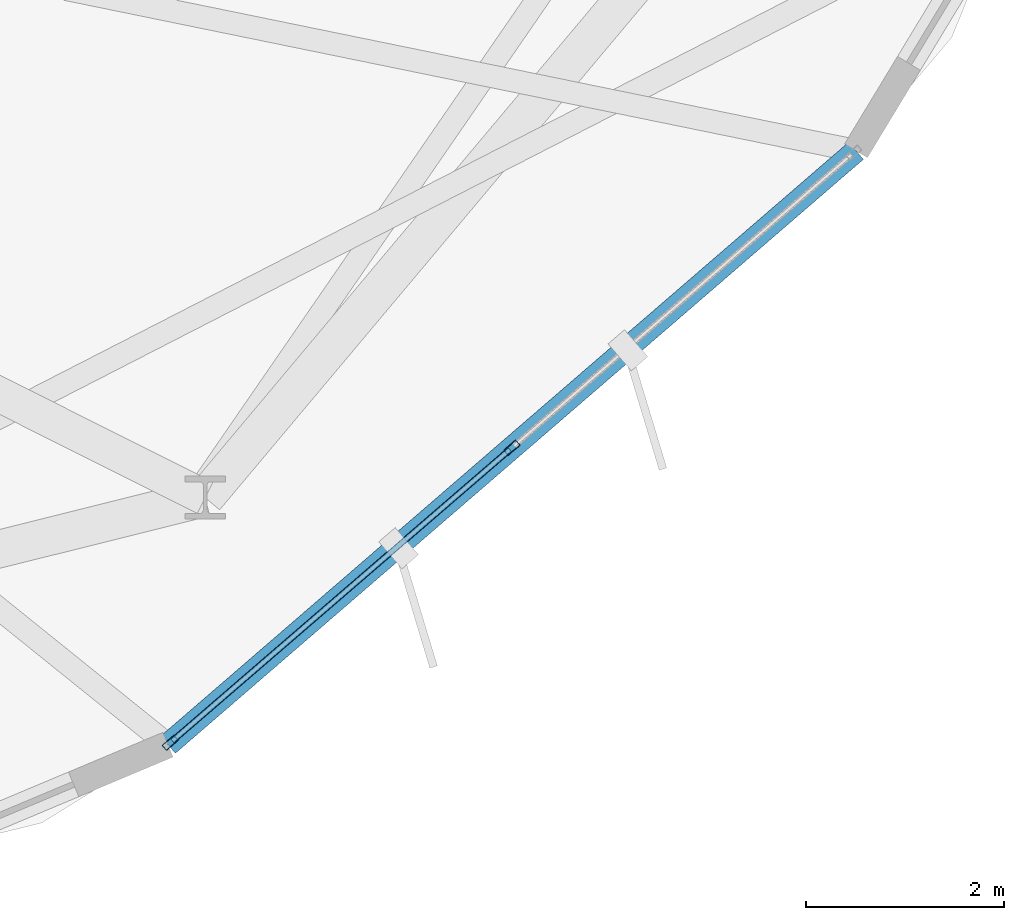
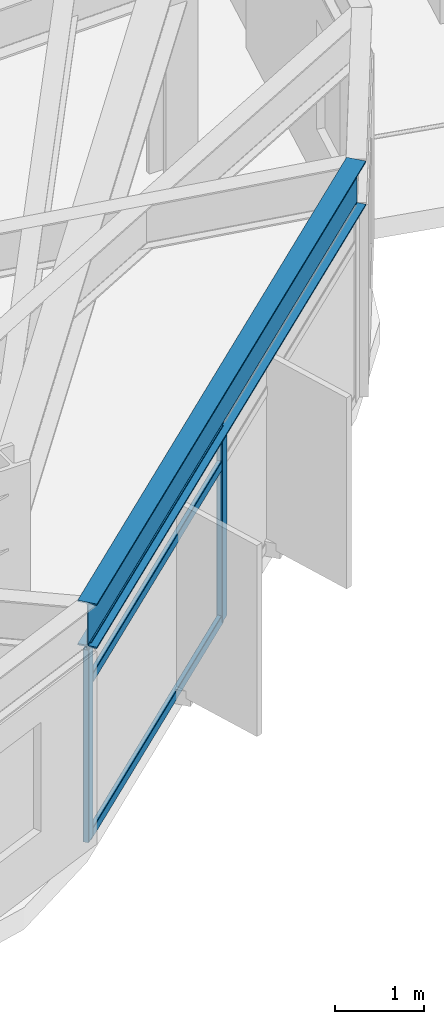
# One storey, part 5 of 27: 5 members, 1 beam, 1 element without a shape of its own.
"""IFC4 building model written with IfcOpenShell, lengths in metres."""

from ifc_helpers import new_model, si_unit, direction, frame, origin, origin_2d, place, context, subcontext, project, spatial, hollow_rectangle, i_section, extrude, material, layer, layer_set, material_profile, profile_set, type_object, element, aggregate, save


model = new_model("IFC4")

# Units and contexts
model_context = context("Model", 3, precision=1e-05, world=origin(), true_north=direction((0.0, 1.0)))
body_context = subcontext(model_context, "Body", "Model", "MODEL_VIEW")
ifc_project = project(units=[si_unit("LENGTHUNIT", "METRE"), si_unit("AREAUNIT", "SQUARE_METRE"), si_unit("VOLUMEUNIT", "CUBIC_METRE"), si_unit("PLANEANGLEUNIT", "RADIAN"), si_unit("MASSUNIT", "GRAM", prefix="KILO")], contexts=[model_context])

# Site, building, storey
site_placement = place(None, origin())
site = spatial("IfcSite", under=ifc_project, at=site_placement, CompositionType="ELEMENT")
building_placement = place(site_placement, origin())
building = spatial("IfcBuilding", under=site, at=building_placement, Name="Soratama Intermodal Tower", CompositionType="ELEMENT")
storey_placement = place(building_placement, frame((0.0, 0.0, 182.199951171875)))
storey = spatial("IfcBuildingStorey", under=building, at=storey_placement, Name="L45", CompositionType="ELEMENT", Elevation=182.199951171875)

# Beam
ifc_material_1 = material(Name="Structural steel ASTM A992 Grade 50", Category="steel")
ifc_material_profile_1 = material_profile(ifc_material_1, i_section(OverallWidth=0.22900390625, OverallDepth=0.612060546875, WebThickness=0.011962890625, FlangeThickness=0.01953125, FilletRadius=0.012939453125, at=origin_2d()), Name="W24X84")
ifc_profile_set_1 = profile_set([ifc_material_profile_1], Name="Structural steel ASTM A992 Grade 50")
beam_type = type_object("IfcBeamType", Name="BM-SPN-W24X84", PredefinedType="SPANDREL", material=ifc_profile_set_1)
beam_placement = place(storey_placement, frame((53.89794921875, 7.660888671875, 2.9541015625), z_axis=(0.756958016924, 0.653463511311, 0.0), x_axis=(-0.653463511311, 0.756958016924, 0.0)))
element("IfcBeam", 1, at=beam_placement, inside=storey, type_object=beam_type, Name="BS-L45-F08", PredefinedType="SPANDREL", context=body_context, shape_type="SweptSolid", body=[
    extrude(i_section(OverallWidth=0.22900390625, OverallDepth=0.612060546875, WebThickness=0.011962890625, FlangeThickness=0.01953125, FilletRadius=0.012939453125, at=origin_2d()), origin(), (0.0, 0.0, 1.0), 9.188232421875),
])

# Curtain wall, members
ifc_material_2 = material(Name="Double-glazed aluminium curtain wall", Category="aluminium")
ifc_layer = layer(ifc_material_2, 0.159912109375)
ifc_layer_set = layer_set([ifc_layer], Name="Double-glazed aluminium curtain wall")
curtain_wall_type = type_object("IfcCurtainWallType", Name="CW-SYS-4", PredefinedType="NOTDEFINED", material=ifc_layer_set)
curtain_wall_placement = place(storey_placement, origin())
curtain_wall = element("IfcCurtainWall", 2, at=curtain_wall_placement, inside=storey, type_object=curtain_wall_type, Name="L45 Faceted Curtain Wall F08", PredefinedType="NOTDEFINED")
ifc_material_3 = material(Name="Anodised aluminium AA 6063-T6", Category="aluminium")
ifc_material_profile_2 = material_profile(ifc_material_3, hollow_rectangle(XDim=0.070068359375, YDim=0.159912109375, WallThickness=0.0048828125, InnerFilletRadius=0.0048828125, OuterFilletRadius=0.010009765625, at=origin_2d()), Name="CWM160X70X5")
ifc_profile_set_2 = profile_set([ifc_material_profile_2], Name="Anodised aluminium AA 6063-T6")
member_type_1 = type_object("IfcMemberType", Name="MT-CWM-4", PredefinedType="MULLION", material=ifc_profile_set_2)
member_1_placement = place(storey_placement, frame((53.920166015625, 7.680908203125, 0.0), z_axis=(0.0, 0.0, 1.0), x_axis=(-0.653423478427, 0.756992574495, 0.0)))
member_1 = element("IfcMember", 3, at=member_1_placement, type_object=member_type_1, Name="CW-4 mullion 1", PredefinedType="MULLION", context=body_context, shape_type="SweptSolid", body=[
    extrude(hollow_rectangle(XDim=0.070068359375, YDim=0.159912109375, WallThickness=0.0048828125, InnerFilletRadius=0.0048828125, OuterFilletRadius=0.010009765625, at=origin_2d()), origin(), (0.0, 0.0, 1.0), 2.63916015625),
])
member_2_placement = place(storey_placement, frame((57.375244140625, 10.663330078125, 0.0), z_axis=(0.0, 0.0, 1.0), x_axis=(-0.653423478427, 0.756992574495, 0.0)))
member_2 = element("IfcMember", 4, at=member_2_placement, type_object=member_type_1, Name="CW-4 mullion 2", PredefinedType="MULLION", context=body_context, shape_type="SweptSolid", body=[
    extrude(hollow_rectangle(XDim=0.070068359375, YDim=0.159912109375, WallThickness=0.0048828125, InnerFilletRadius=0.0048828125, OuterFilletRadius=0.010009765625, at=origin_2d()), origin(), (0.0, 0.0, 1.0), 2.63916015625),
])
ifc_material_4 = material(Name="Anodised aluminium AA 6063-T6", Category="aluminium")
ifc_material_profile_3 = material_profile(ifc_material_4, hollow_rectangle(XDim=0.06005859375, YDim=0.1298828125, WallThickness=0.0048828125, InnerFilletRadius=0.0048828125, OuterFilletRadius=0.010009765625, at=origin_2d()), Name="CWT130X60X5")
ifc_profile_set_3 = profile_set([ifc_material_profile_3], Name="Anodised aluminium AA 6063-T6")
member_type_2 = type_object("IfcMemberType", Name="TT-CWT-2", PredefinedType="USERDEFINED", material=ifc_profile_set_3)
member_3_placement = place(storey_placement, frame((53.94287109375, 7.70068359375, 0.030029296875), z_axis=(0.757025293615, 0.653385571333, 0.0), x_axis=(-0.653385571333, 0.757025293615, 0.0)))
member_3 = element("IfcMember", 5, at=member_3_placement, type_object=member_type_2, Name="CW-4 transom 1.1", ObjectType="TRANSOM", PredefinedType="USERDEFINED", context=body_context, shape_type="SweptSolid", body=[
    extrude(hollow_rectangle(XDim=0.06005859375, YDim=0.1298828125, WallThickness=0.0048828125, InnerFilletRadius=0.0048828125, OuterFilletRadius=0.010009765625, at=origin_2d()), origin(), (0.0, 0.0, 1.0), 4.504150390625),
])
member_4_placement = place(storey_placement, frame((53.94287109375, 7.70068359375, 2.150146484375), z_axis=(0.757025293615, 0.653385571333, 0.0), x_axis=(-0.653385571333, 0.757025293615, 0.0)))
member_4 = element("IfcMember", 6, at=member_4_placement, type_object=member_type_2, Name="CW-4 transom 1.2", ObjectType="TRANSOM", PredefinedType="USERDEFINED", context=body_context, shape_type="SweptSolid", body=[
    extrude(hollow_rectangle(XDim=0.06005859375, YDim=0.1298828125, WallThickness=0.0048828125, InnerFilletRadius=0.0048828125, OuterFilletRadius=0.010009765625, at=origin_2d()), origin(), (0.0, 0.0, 1.0), 4.504150390625),
])
member_5_placement = place(storey_placement, frame((53.94287109375, 7.70068359375, 2.609130859375), z_axis=(0.757025293615, 0.653385571333, 0.0), x_axis=(-0.653385571333, 0.757025293615, 0.0)))
member_5 = element("IfcMember", 7, at=member_5_placement, type_object=member_type_2, Name="CW-4 transom 1.3", ObjectType="TRANSOM", PredefinedType="USERDEFINED", context=body_context, shape_type="SweptSolid", body=[
    extrude(hollow_rectangle(XDim=0.06005859375, YDim=0.1298828125, WallThickness=0.0048828125, InnerFilletRadius=0.0048828125, OuterFilletRadius=0.010009765625, at=origin_2d()), origin(), (0.0, 0.0, 1.0), 4.504150390625),
])
aggregate(curtain_wall, [member_1, member_2, member_3, member_4, member_5])

save(model, "model.ifc")
